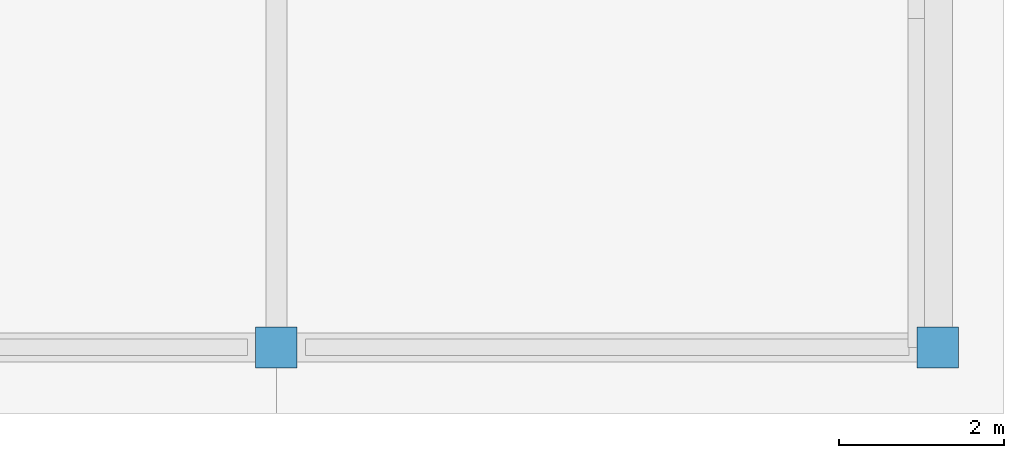
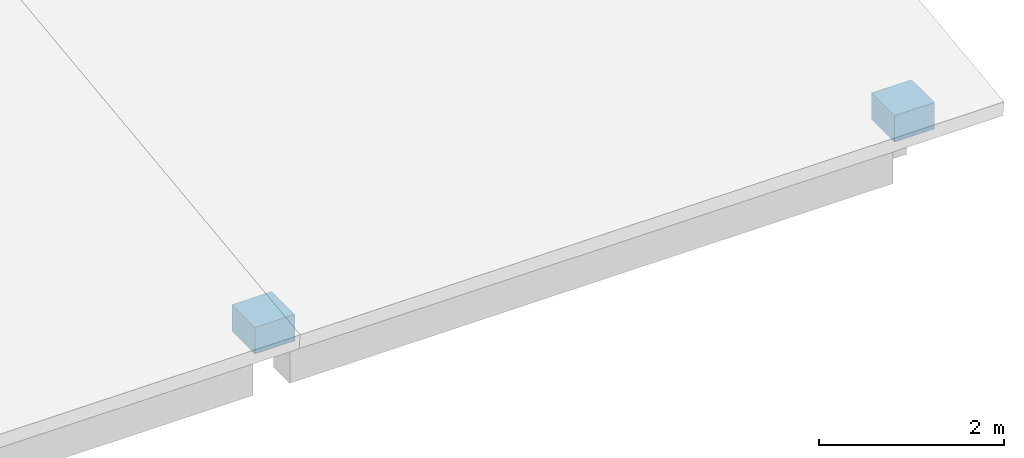
# One storey, part 8 of 83: 2 columns.
"""IFC4 building model written with IfcOpenShell, lengths in metres."""

from ifc_helpers import new_model, si_unit, direction, frame, origin, origin_2d, place, context, subcontext, project, spatial, rectangle, extrude, material, material_profile, profile_set, type_object, element, save


model = new_model("IFC4")

# Units and contexts
model_context = context("Model", 3, precision=1e-05, world=origin(), true_north=direction((0.0, 1.0)))
body_context = subcontext(model_context, "Body", "Model", "MODEL_VIEW")
ifc_project = project(units=[si_unit("LENGTHUNIT", "METRE"), si_unit("AREAUNIT", "SQUARE_METRE"), si_unit("VOLUMEUNIT", "CUBIC_METRE"), si_unit("PLANEANGLEUNIT", "RADIAN"), si_unit("MASSUNIT", "GRAM", prefix="KILO")], contexts=[model_context])

# Site, building, storey
site_placement = place(None, origin())
site = spatial("IfcSite", under=ifc_project, at=site_placement, CompositionType="ELEMENT")
building_placement = place(site_placement, origin())
building = spatial("IfcBuilding", under=site, at=building_placement, Name="Jelvoka-Kovrelna Polytechnic", CompositionType="ELEMENT")
storey_placement = place(building_placement, frame((0.0, 0.0, 13.800048828125)))
storey = spatial("IfcBuildingStorey", under=building, at=storey_placement, Name="L04", CompositionType="ELEMENT", Elevation=13.800048828125)

# Columns
ifc_material = material(Name="Concrete C40/50", Category="concrete")
ifc_material_profile = material_profile(ifc_material, rectangle(XDim=0.5, YDim=0.5, at=origin_2d()), Name="RC 500x500")
ifc_profile_set = profile_set([ifc_material_profile], Name="Concrete C40/50")
column_type = type_object("IfcColumnType", Name="Col_RC_500", PredefinedType="COLUMN", material=ifc_profile_set)
for number, where, z_axis, x_axis, name in (
    (1, (192.0, 0.0, 0.0), (0.0, 0.0, 1.0), (1.0, 0.0, 0.0), "L04 V5 sloped roof column 1686"),
    (2, (200.0, 0.0, 0.0), (0.0, 0.0, 1.0), (1.0, 0.0, 0.0), "L04 V5 sloped roof column 1688"),
):
    element("IfcColumn", number, at=place(storey_placement, frame(where, z_axis=z_axis, x_axis=x_axis)), inside=storey, type_object=column_type, Name=name, PredefinedType="COLUMN", context=body_context, shape_type="SweptSolid", body=[
        extrude(rectangle(XDim=0.5, YDim=0.5, at=origin_2d()), origin(), (0.0, 0.0, 1.0), 0.349853515625),
    ])

save(model, "model.ifc")
